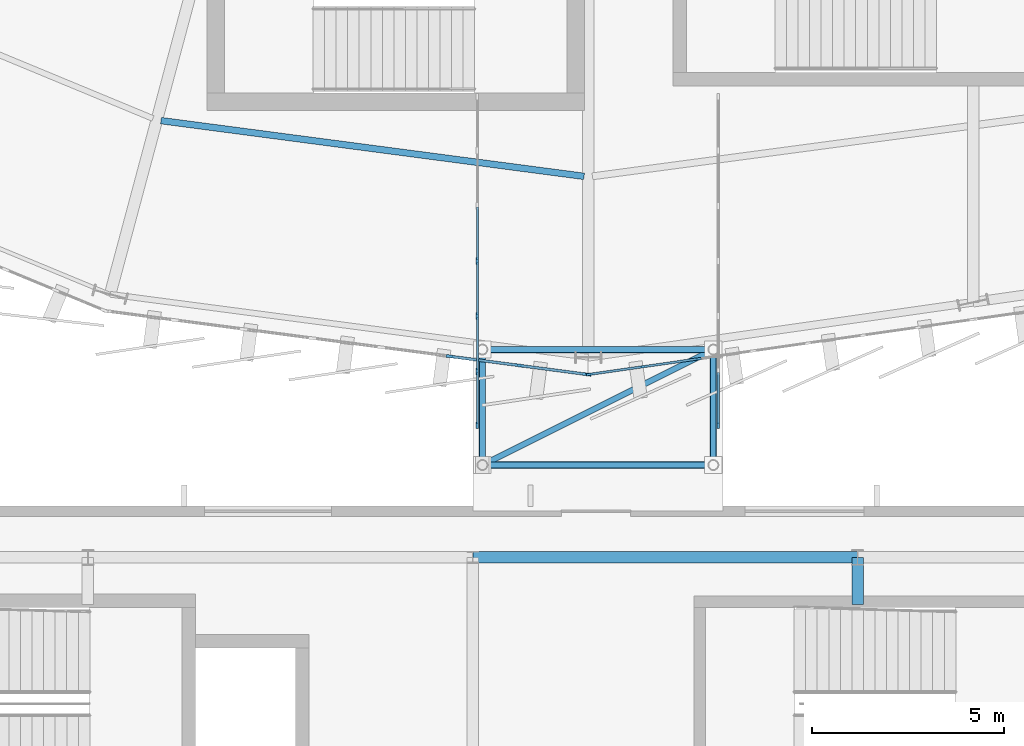
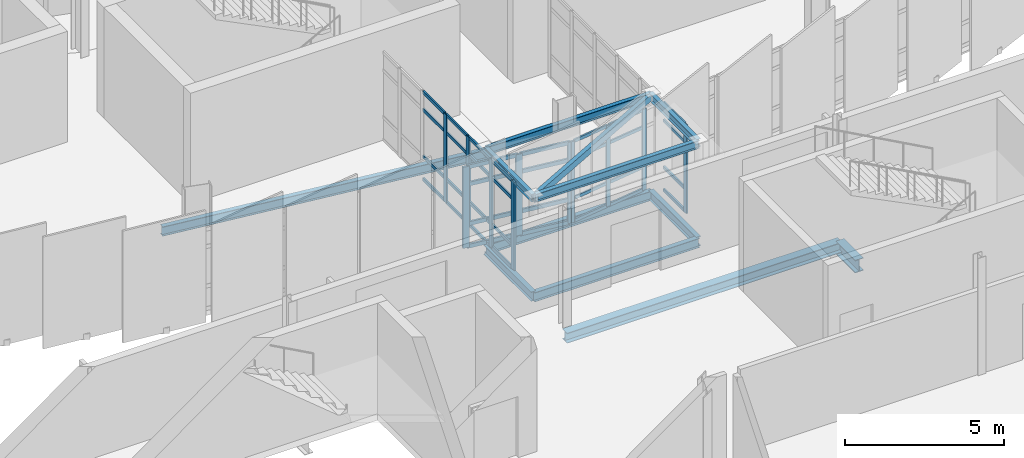
# One storey, part 35 of 125: 48 members, 11 beams, 4 elements without a shape of their own.
"""IFC4 building model written with IfcOpenShell, lengths in metres."""

from ifc_helpers import new_model, si_unit, direction, frame, origin, origin_2d, place, context, subcontext, project, spatial, rectangle, hollow_rectangle, i_section, extrude, material, layer, layer_set, material_profile, profile_set, type_object, element, aggregate, save


model = new_model("IFC4")

# Units and contexts
model_context = context("Model", 3, precision=1e-05, world=origin(), true_north=direction((0.0, 1.0)))
body_context = subcontext(model_context, "Body", "Model", "MODEL_VIEW")
ifc_project = project(units=[si_unit("LENGTHUNIT", "METRE"), si_unit("AREAUNIT", "SQUARE_METRE"), si_unit("VOLUMEUNIT", "CUBIC_METRE"), si_unit("PLANEANGLEUNIT", "RADIAN"), si_unit("MASSUNIT", "GRAM", prefix="KILO")], contexts=[model_context])

# Site, building, storey
site_placement = place(None, origin())
site = spatial("IfcSite", under=ifc_project, at=site_placement, CompositionType="ELEMENT")
building_placement = place(site_placement, origin())
building = spatial("IfcBuilding", under=site, at=building_placement, Name="Sohan Crest Arena", CompositionType="ELEMENT")
storey_placement = place(building_placement, frame((0.0, 0.0, 9.0)))
storey = spatial("IfcBuildingStorey", under=building, at=storey_placement, Name="L02", CompositionType="ELEMENT", Elevation=9.0)

# Curtain wall, members
ifc_material_1 = material(Name="Thermally broken anodised aluminium", Category="aluminium")
ifc_layer_1 = layer(ifc_material_1, 0.179931640625, Name="Thermally broken anodised aluminium")
ifc_layer_set_1 = layer_set([ifc_layer_1], Name="Thermally broken anodised aluminium")
curtain_wall_type_1 = type_object("IfcCurtainWallType", Name="ARC-CW01", PredefinedType="NOTDEFINED", material=ifc_layer_set_1)
curtain_wall_1_placement = place(storey_placement, origin())
curtain_wall_1 = element("IfcCurtainWall", 1, at=curtain_wall_1_placement, inside=storey, type_object=curtain_wall_type_1, Name="Unitised curtain wall CW-060", PredefinedType="NOTDEFINED")
ifc_material_profile_1 = material_profile(ifc_material_1, rectangle(XDim=0.06005859375, YDim=0.159912109375, at=origin_2d()), Name="ALU-MULL 60x160")
ifc_profile_set_1 = profile_set([ifc_material_profile_1], Name="Thermally broken anodised aluminium")
member_type_1 = type_object("IfcMemberType", Name="ARC-CW-ML01", PredefinedType="MULLION", material=ifc_profile_set_1)
member_1_placement = place(storey_placement, frame((98.02978515625, 29.55419921875, 0.0), z_axis=(0.0, 0.0, 1.0), x_axis=(-0.141462933734, 0.989943553128, 0.0)))
member_1 = element("IfcMember", 2, at=member_1_placement, type_object=member_type_1, Name="CW-060 mullion 1", PredefinedType="MULLION", context=body_context, shape_type="SweptSolid", body=[
    extrude(rectangle(XDim=0.06005859375, YDim=0.159912109375, at=origin_2d()), origin(), (0.0, 0.0, 1.0), 3.1201171875),
])
member_2_placement = place(storey_placement, frame((99.428466796875, 29.754150390625, 0.0), z_axis=(0.0, 0.0, 1.0), x_axis=(-0.141462933734, 0.989943553128, 0.0)))
member_2 = element("IfcMember", 3, at=member_2_placement, type_object=member_type_1, Name="CW-060 mullion 2", PredefinedType="MULLION", context=body_context, shape_type="SweptSolid", body=[
    extrude(rectangle(XDim=0.06005859375, YDim=0.159912109375, at=origin_2d()), origin(), (0.0, 0.0, 1.0), 3.1201171875),
])
member_3_placement = place(storey_placement, frame((100.857177734375, 29.958251953125, 0.0), z_axis=(0.0, 0.0, 1.0), x_axis=(-0.141462933734, 0.989943553128, 0.0)))
member_3 = element("IfcMember", 4, at=member_3_placement, type_object=member_type_1, Name="CW-060 mullion 3", PredefinedType="MULLION", context=body_context, shape_type="SweptSolid", body=[
    extrude(rectangle(XDim=0.06005859375, YDim=0.159912109375, at=origin_2d()), origin(), (0.0, 0.0, 1.0), 3.1201171875),
])

ifc_layer_2 = layer(ifc_material_1, 0.18994140625, Name="Thermally broken anodised aluminium")
ifc_layer_set_2 = layer_set([ifc_layer_2], Name="Thermally broken anodised aluminium")
curtain_wall_type_2 = type_object("IfcCurtainWallType", Name="ARC-CW05", PredefinedType="NOTDEFINED", material=ifc_layer_set_2)
curtain_wall_2_placement = place(storey_placement, origin())
curtain_wall_2 = element("IfcCurtainWall", 5, at=curtain_wall_2_placement, inside=storey, type_object=curtain_wall_type_2, Name="Unitised curtain wall CW-251", PredefinedType="NOTDEFINED")
ifc_material_profile_2 = material_profile(ifc_material_1, rectangle(XDim=0.06494140625, YDim=0.179931640625, at=origin_2d()), Name="ALU-MULL 65x180")
ifc_profile_set_2 = profile_set([ifc_material_profile_2], Name="Thermally broken anodised aluminium")
member_type_2 = type_object("IfcMemberType", Name="ARC-CW-ML02", PredefinedType="MULLION", material=ifc_profile_set_2)
member_4_placement = place(storey_placement, frame((95.1201171875, 28.232421875, 0.0), z_axis=(0.0, 0.0, 1.0), x_axis=(-1.0, 0.0, 0.0)))
member_4 = element("IfcMember", 6, at=member_4_placement, type_object=member_type_2, Name="CW-251 mullion 1", PredefinedType="MULLION", context=body_context, shape_type="SweptSolid", body=[
    extrude(rectangle(XDim=0.06494140625, YDim=0.179931640625, at=origin_2d()), origin(), (0.0, 0.0, 1.0), 3.39990234375),
])
member_5_placement = place(storey_placement, frame((95.1201171875, 29.63330078125, 0.0), z_axis=(0.0, 0.0, 1.0), x_axis=(-1.0, 0.0, 0.0)))
member_5 = element("IfcMember", 7, at=member_5_placement, type_object=member_type_2, Name="CW-251 mullion 2", PredefinedType="MULLION", context=body_context, shape_type="SweptSolid", body=[
    extrude(rectangle(XDim=0.06494140625, YDim=0.179931640625, at=origin_2d()), origin(), (0.0, 0.0, 1.0), 3.39990234375),
])
member_6_placement = place(storey_placement, frame((95.1201171875, 31.066650390625, 0.0), z_axis=(0.0, 0.0, 1.0), x_axis=(-1.0, 0.0, 0.0)))
member_6 = element("IfcMember", 8, at=member_6_placement, type_object=member_type_2, Name="CW-251 mullion 3", PredefinedType="MULLION", context=body_context, shape_type="SweptSolid", body=[
    extrude(rectangle(XDim=0.06494140625, YDim=0.179931640625, at=origin_2d()), origin(), (0.0, 0.0, 1.0), 3.39990234375),
])
member_7_placement = place(storey_placement, frame((95.1201171875, 32.5, 0.0), z_axis=(0.0, 0.0, 1.0), x_axis=(-1.0, 0.0, 0.0)))
member_7 = element("IfcMember", 9, at=member_7_placement, type_object=member_type_2, Name="CW-251 mullion 4", PredefinedType="MULLION", context=body_context, shape_type="SweptSolid", body=[
    extrude(rectangle(XDim=0.06494140625, YDim=0.179931640625, at=origin_2d()), origin(), (0.0, 0.0, 1.0), 3.39990234375),
])

# Curtain wall, member
curtain_wall_3_placement = place(storey_placement, origin())
curtain_wall_3 = element("IfcCurtainWall", 10, at=curtain_wall_3_placement, inside=storey, type_object=curtain_wall_type_2, Name="Unitised curtain wall CW-252", PredefinedType="NOTDEFINED")
member_8_placement = place(storey_placement, frame((101.3798828125, 28.232421875, 0.0), z_axis=(0.0, 0.0, 1.0), x_axis=(-1.0, 0.0, 0.0)))
member_8 = element("IfcMember", 11, at=member_8_placement, type_object=member_type_2, Name="CW-252 mullion 1", PredefinedType="MULLION", context=body_context, shape_type="SweptSolid", body=[
    extrude(rectangle(XDim=0.06494140625, YDim=0.179931640625, at=origin_2d()), origin(), (0.0, 0.0, 1.0), 3.39990234375),
])

# Curtain wall, members
ifc_layer_3 = layer(ifc_material_1, 0.2099609375, Name="Thermally broken anodised aluminium")
ifc_layer_set_3 = layer_set([ifc_layer_3], Name="Thermally broken anodised aluminium")
curtain_wall_type_3 = type_object("IfcCurtainWallType", Name="ARC-CW06", PredefinedType="NOTDEFINED", material=ifc_layer_set_3)
curtain_wall_4_placement = place(storey_placement, origin())
curtain_wall_4 = element("IfcCurtainWall", 12, at=curtain_wall_4_placement, inside=storey, type_object=curtain_wall_type_3, Name="Unitised curtain wall CW-059", PredefinedType="NOTDEFINED")
ifc_material_profile_3 = material_profile(ifc_material_1, rectangle(XDim=0.074951171875, YDim=0.219970703125, at=origin_2d()), Name="ALU-MULL 75x220")
ifc_profile_set_3 = profile_set([ifc_material_profile_3], Name="Thermally broken anodised aluminium")
member_type_3 = type_object("IfcMemberType", Name="ARC-CW-ML04", PredefinedType="MULLION", material=ifc_profile_set_3)
member_9_placement = place(storey_placement, frame((94.417236328125, 30.021728515625, 0.0), z_axis=(0.0, 0.0, 1.0), x_axis=(0.130532229177, 0.991444066575, 0.0)))
member_9 = element("IfcMember", 13, at=member_9_placement, type_object=member_type_3, Name="CW-059 mullion 6", PredefinedType="MULLION", context=body_context, shape_type="SweptSolid", body=[
    extrude(rectangle(XDim=0.074951171875, YDim=0.219970703125, at=origin_2d()), origin(), (0.0, 0.0, 1.0), 3.1201171875),
])
member_10_placement = place(storey_placement, frame((96.20849609375, 29.785888671875, 0.0), z_axis=(0.0, 0.0, 1.0), x_axis=(0.130532229177, 0.991444066575, 0.0)))
member_10 = element("IfcMember", 14, at=member_10_placement, type_object=member_type_3, Name="CW-059 mullion 7", PredefinedType="MULLION", context=body_context, shape_type="SweptSolid", body=[
    extrude(rectangle(XDim=0.074951171875, YDim=0.219970703125, at=origin_2d()), origin(), (0.0, 0.0, 1.0), 3.1201171875),
])
member_11_placement = place(storey_placement, frame((97.962890625, 29.554931640625, 0.0), z_axis=(0.0, 0.0, 1.0), x_axis=(0.130532229177, 0.991444066575, 0.0)))
member_11 = element("IfcMember", 15, at=member_11_placement, type_object=member_type_3, Name="CW-059 mullion 8", PredefinedType="MULLION", context=body_context, shape_type="SweptSolid", body=[
    extrude(rectangle(XDim=0.074951171875, YDim=0.219970703125, at=origin_2d()), origin(), (0.0, 0.0, 1.0), 3.1201171875),
])

# Member
ifc_material_profile_4 = material_profile(ifc_material_1, rectangle(XDim=0.06005859375, YDim=0.1201171875, at=origin_2d()), Name="ALU-TRAN 60x120")
ifc_profile_set_4 = profile_set([ifc_material_profile_4], Name="Thermally broken anodised aluminium")
member_type_4 = type_object("IfcMemberType", Name="ARC-CW-TR01", PredefinedType="USERDEFINED", material=ifc_profile_set_4)
member_12_placement = place(storey_placement, frame((98.059326171875, 29.55859375, 0.030029296875), z_axis=(0.989945885007, 0.141446614515, 0.0), x_axis=(-0.141446614515, 0.989945885007, 0.0)))
member_12 = element("IfcMember", 16, at=member_12_placement, type_object=member_type_4, Name="CW-060 transom 1.1", ObjectType="TRANSOM", PredefinedType="USERDEFINED", context=body_context, shape_type="SweptSolid", body=[
    extrude(rectangle(XDim=0.06005859375, YDim=0.1201171875, at=origin_2d()), origin(), (0.0, 0.0, 1.0), 1.353271484375),
])

member_13_placement = place(storey_placement, frame((98.059326171875, 29.55859375, 0.89990234375), z_axis=(0.989945885007, 0.141446614515, 0.0), x_axis=(-0.141446614515, 0.989945885007, 0.0)))
member_13 = element("IfcMember", 17, at=member_13_placement, type_object=member_type_4, Name="CW-060 transom 1.2", ObjectType="TRANSOM", PredefinedType="USERDEFINED", context=body_context, shape_type="SweptSolid", body=[
    extrude(rectangle(XDim=0.06005859375, YDim=0.1201171875, at=origin_2d()), origin(), (0.0, 0.0, 1.0), 1.353271484375),
])

member_14_placement = place(storey_placement, frame((98.059326171875, 29.55859375, 2.419921875), z_axis=(0.989945885007, 0.141446614515, 0.0), x_axis=(-0.141446614515, 0.989945885007, 0.0)))
member_14 = element("IfcMember", 18, at=member_14_placement, type_object=member_type_4, Name="CW-060 transom 1.3", ObjectType="TRANSOM", PredefinedType="USERDEFINED", context=body_context, shape_type="SweptSolid", body=[
    extrude(rectangle(XDim=0.06005859375, YDim=0.1201171875, at=origin_2d()), origin(), (0.0, 0.0, 1.0), 1.353271484375),
])

member_15_placement = place(storey_placement, frame((98.059326171875, 29.55859375, 3.090087890625), z_axis=(0.989945885007, 0.141446614515, 0.0), x_axis=(-0.141446614515, 0.989945885007, 0.0)))
member_15 = element("IfcMember", 19, at=member_15_placement, type_object=member_type_4, Name="CW-060 transom 1.4", ObjectType="TRANSOM", PredefinedType="USERDEFINED", context=body_context, shape_type="SweptSolid", body=[
    extrude(rectangle(XDim=0.06005859375, YDim=0.1201171875, at=origin_2d()), origin(), (0.0, 0.0, 1.0), 1.353271484375),
])

member_16_placement = place(storey_placement, frame((99.458251953125, 29.75830078125, 0.030029296875), z_axis=(0.989928300068, 0.141569632071, 0.0), x_axis=(-0.141569632071, 0.989928300068, 0.0)))
member_16 = element("IfcMember", 20, at=member_16_placement, type_object=member_type_4, Name="CW-060 transom 2.1", ObjectType="TRANSOM", PredefinedType="USERDEFINED", context=body_context, shape_type="SweptSolid", body=[
    extrude(rectangle(XDim=0.06005859375, YDim=0.1201171875, at=origin_2d()), origin(), (0.0, 0.0, 1.0), 1.383056640625),
])

member_17_placement = place(storey_placement, frame((99.458251953125, 29.75830078125, 0.89990234375), z_axis=(0.989928300068, 0.141569632071, 0.0), x_axis=(-0.141569632071, 0.989928300068, 0.0)))
member_17 = element("IfcMember", 21, at=member_17_placement, type_object=member_type_4, Name="CW-060 transom 2.2", ObjectType="TRANSOM", PredefinedType="USERDEFINED", context=body_context, shape_type="SweptSolid", body=[
    extrude(rectangle(XDim=0.06005859375, YDim=0.1201171875, at=origin_2d()), origin(), (0.0, 0.0, 1.0), 1.383056640625),
])

member_18_placement = place(storey_placement, frame((99.458251953125, 29.75830078125, 2.419921875), z_axis=(0.989928300068, 0.141569632071, 0.0), x_axis=(-0.141569632071, 0.989928300068, 0.0)))
member_18 = element("IfcMember", 22, at=member_18_placement, type_object=member_type_4, Name="CW-060 transom 2.3", ObjectType="TRANSOM", PredefinedType="USERDEFINED", context=body_context, shape_type="SweptSolid", body=[
    extrude(rectangle(XDim=0.06005859375, YDim=0.1201171875, at=origin_2d()), origin(), (0.0, 0.0, 1.0), 1.383056640625),
])

member_19_placement = place(storey_placement, frame((99.458251953125, 29.75830078125, 3.090087890625), z_axis=(0.989928300068, 0.141569632071, 0.0), x_axis=(-0.141569632071, 0.989928300068, 0.0)))
member_19 = element("IfcMember", 23, at=member_19_placement, type_object=member_type_4, Name="CW-060 transom 2.4", ObjectType="TRANSOM", PredefinedType="USERDEFINED", context=body_context, shape_type="SweptSolid", body=[
    extrude(rectangle(XDim=0.06005859375, YDim=0.1201171875, at=origin_2d()), origin(), (0.0, 0.0, 1.0), 1.383056640625),
])

aggregate(curtain_wall_1, [member_1, member_2, member_3, member_12, member_13, member_14, member_15, member_16, member_17, member_18, member_19])

member_20_placement = place(storey_placement, frame((95.1201171875, 28.264892578125, 0.030029296875), z_axis=(0.0, 1.0, 0.0), x_axis=(-1.0, 0.0, 0.0)))
member_20 = element("IfcMember", 24, at=member_20_placement, type_object=member_type_4, Name="CW-251 transom 1.1", ObjectType="TRANSOM", PredefinedType="USERDEFINED", context=body_context, shape_type="SweptSolid", body=[
    extrude(rectangle(XDim=0.06005859375, YDim=0.1201171875, at=origin_2d()), origin(), (0.0, 0.0, 1.0), 1.3359375),
])

member_21_placement = place(storey_placement, frame((95.1201171875, 28.264892578125, 0.89990234375), z_axis=(0.0, 1.0, 0.0), x_axis=(-1.0, 0.0, 0.0)))
member_21 = element("IfcMember", 25, at=member_21_placement, type_object=member_type_4, Name="CW-251 transom 1.2", ObjectType="TRANSOM", PredefinedType="USERDEFINED", context=body_context, shape_type="SweptSolid", body=[
    extrude(rectangle(XDim=0.06005859375, YDim=0.1201171875, at=origin_2d()), origin(), (0.0, 0.0, 1.0), 1.3359375),
])

member_22_placement = place(storey_placement, frame((95.1201171875, 28.264892578125, 2.699951171875), z_axis=(0.0, 1.0, 0.0), x_axis=(-1.0, 0.0, 0.0)))
member_22 = element("IfcMember", 26, at=member_22_placement, type_object=member_type_4, Name="CW-251 transom 1.3", ObjectType="TRANSOM", PredefinedType="USERDEFINED", context=body_context, shape_type="SweptSolid", body=[
    extrude(rectangle(XDim=0.06005859375, YDim=0.1201171875, at=origin_2d()), origin(), (0.0, 0.0, 1.0), 1.3359375),
])

member_23_placement = place(storey_placement, frame((95.1201171875, 28.264892578125, 3.3701171875), z_axis=(0.0, 1.0, 0.0), x_axis=(-1.0, 0.0, 0.0)))
member_23 = element("IfcMember", 27, at=member_23_placement, type_object=member_type_4, Name="CW-251 transom 1.4", ObjectType="TRANSOM", PredefinedType="USERDEFINED", context=body_context, shape_type="SweptSolid", body=[
    extrude(rectangle(XDim=0.06005859375, YDim=0.1201171875, at=origin_2d()), origin(), (0.0, 0.0, 1.0), 1.3359375),
])

member_24_placement = place(storey_placement, frame((95.1201171875, 29.665771484375, 0.030029296875), z_axis=(0.0, 1.0, 0.0), x_axis=(-1.0, 0.0, 0.0)))
member_24 = element("IfcMember", 28, at=member_24_placement, type_object=member_type_4, Name="CW-251 transom 2.1", ObjectType="TRANSOM", PredefinedType="USERDEFINED", context=body_context, shape_type="SweptSolid", body=[
    extrude(rectangle(XDim=0.06005859375, YDim=0.1201171875, at=origin_2d()), origin(), (0.0, 0.0, 1.0), 1.368408203125),
])

member_25_placement = place(storey_placement, frame((95.1201171875, 29.665771484375, 0.89990234375), z_axis=(0.0, 1.0, 0.0), x_axis=(-1.0, 0.0, 0.0)))
member_25 = element("IfcMember", 29, at=member_25_placement, type_object=member_type_4, Name="CW-251 transom 2.2", ObjectType="TRANSOM", PredefinedType="USERDEFINED", context=body_context, shape_type="SweptSolid", body=[
    extrude(rectangle(XDim=0.06005859375, YDim=0.1201171875, at=origin_2d()), origin(), (0.0, 0.0, 1.0), 1.368408203125),
])

member_26_placement = place(storey_placement, frame((95.1201171875, 29.665771484375, 2.699951171875), z_axis=(0.0, 1.0, 0.0), x_axis=(-1.0, 0.0, 0.0)))
member_26 = element("IfcMember", 30, at=member_26_placement, type_object=member_type_4, Name="CW-251 transom 2.3", ObjectType="TRANSOM", PredefinedType="USERDEFINED", context=body_context, shape_type="SweptSolid", body=[
    extrude(rectangle(XDim=0.06005859375, YDim=0.1201171875, at=origin_2d()), origin(), (0.0, 0.0, 1.0), 1.368408203125),
])

member_27_placement = place(storey_placement, frame((95.1201171875, 29.665771484375, 3.3701171875), z_axis=(0.0, 1.0, 0.0), x_axis=(-1.0, 0.0, 0.0)))
member_27 = element("IfcMember", 31, at=member_27_placement, type_object=member_type_4, Name="CW-251 transom 2.4", ObjectType="TRANSOM", PredefinedType="USERDEFINED", context=body_context, shape_type="SweptSolid", body=[
    extrude(rectangle(XDim=0.06005859375, YDim=0.1201171875, at=origin_2d()), origin(), (0.0, 0.0, 1.0), 1.368408203125),
])

member_28_placement = place(storey_placement, frame((95.1201171875, 31.09912109375, 0.030029296875), z_axis=(0.0, 1.0, 0.0), x_axis=(-1.0, 0.0, 0.0)))
member_28 = element("IfcMember", 32, at=member_28_placement, type_object=member_type_4, Name="CW-251 transom 3.1", ObjectType="TRANSOM", PredefinedType="USERDEFINED", context=body_context, shape_type="SweptSolid", body=[
    extrude(rectangle(XDim=0.06005859375, YDim=0.1201171875, at=origin_2d()), origin(), (0.0, 0.0, 1.0), 1.368408203125),
])

member_29_placement = place(storey_placement, frame((95.1201171875, 31.09912109375, 0.89990234375), z_axis=(0.0, 1.0, 0.0), x_axis=(-1.0, 0.0, 0.0)))
member_29 = element("IfcMember", 33, at=member_29_placement, type_object=member_type_4, Name="CW-251 transom 3.2", ObjectType="TRANSOM", PredefinedType="USERDEFINED", context=body_context, shape_type="SweptSolid", body=[
    extrude(rectangle(XDim=0.06005859375, YDim=0.1201171875, at=origin_2d()), origin(), (0.0, 0.0, 1.0), 1.368408203125),
])

member_30_placement = place(storey_placement, frame((95.1201171875, 31.09912109375, 2.699951171875), z_axis=(0.0, 1.0, 0.0), x_axis=(-1.0, 0.0, 0.0)))
member_30 = element("IfcMember", 34, at=member_30_placement, type_object=member_type_4, Name="CW-251 transom 3.3", ObjectType="TRANSOM", PredefinedType="USERDEFINED", context=body_context, shape_type="SweptSolid", body=[
    extrude(rectangle(XDim=0.06005859375, YDim=0.1201171875, at=origin_2d()), origin(), (0.0, 0.0, 1.0), 1.368408203125),
])

member_31_placement = place(storey_placement, frame((95.1201171875, 31.09912109375, 3.3701171875), z_axis=(0.0, 1.0, 0.0), x_axis=(-1.0, 0.0, 0.0)))
member_31 = element("IfcMember", 35, at=member_31_placement, type_object=member_type_4, Name="CW-251 transom 3.4", ObjectType="TRANSOM", PredefinedType="USERDEFINED", context=body_context, shape_type="SweptSolid", body=[
    extrude(rectangle(XDim=0.06005859375, YDim=0.1201171875, at=origin_2d()), origin(), (0.0, 0.0, 1.0), 1.368408203125),
])

member_32_placement = place(storey_placement, frame((95.1201171875, 32.532470703125, 0.030029296875), z_axis=(0.0, 1.0, 0.0), x_axis=(-1.0, 0.0, 0.0)))
member_32 = element("IfcMember", 36, at=member_32_placement, type_object=member_type_4, Name="CW-251 transom 4.1", ObjectType="TRANSOM", PredefinedType="USERDEFINED", context=body_context, shape_type="SweptSolid", body=[
    extrude(rectangle(XDim=0.06005859375, YDim=0.1201171875, at=origin_2d()), origin(), (0.0, 0.0, 1.0), 1.368408203125),
])

member_33_placement = place(storey_placement, frame((95.1201171875, 32.532470703125, 0.89990234375), z_axis=(0.0, 1.0, 0.0), x_axis=(-1.0, 0.0, 0.0)))
member_33 = element("IfcMember", 37, at=member_33_placement, type_object=member_type_4, Name="CW-251 transom 4.2", ObjectType="TRANSOM", PredefinedType="USERDEFINED", context=body_context, shape_type="SweptSolid", body=[
    extrude(rectangle(XDim=0.06005859375, YDim=0.1201171875, at=origin_2d()), origin(), (0.0, 0.0, 1.0), 1.368408203125),
])

member_34_placement = place(storey_placement, frame((95.1201171875, 32.532470703125, 2.699951171875), z_axis=(0.0, 1.0, 0.0), x_axis=(-1.0, 0.0, 0.0)))
member_34 = element("IfcMember", 38, at=member_34_placement, type_object=member_type_4, Name="CW-251 transom 4.3", ObjectType="TRANSOM", PredefinedType="USERDEFINED", context=body_context, shape_type="SweptSolid", body=[
    extrude(rectangle(XDim=0.06005859375, YDim=0.1201171875, at=origin_2d()), origin(), (0.0, 0.0, 1.0), 1.368408203125),
])

member_35_placement = place(storey_placement, frame((95.1201171875, 32.532470703125, 3.3701171875), z_axis=(0.0, 1.0, 0.0), x_axis=(-1.0, 0.0, 0.0)))
member_35 = element("IfcMember", 39, at=member_35_placement, type_object=member_type_4, Name="CW-251 transom 4.4", ObjectType="TRANSOM", PredefinedType="USERDEFINED", context=body_context, shape_type="SweptSolid", body=[
    extrude(rectangle(XDim=0.06005859375, YDim=0.1201171875, at=origin_2d()), origin(), (0.0, 0.0, 1.0), 1.368408203125),
])

aggregate(curtain_wall_2, [member_4, member_5, member_6, member_7, member_20, member_21, member_22, member_23, member_24, member_25, member_26, member_27, member_28, member_29, member_30, member_31, member_32, member_33, member_34, member_35])

member_36_placement = place(storey_placement, frame((101.3798828125, 28.264892578125, 0.030029296875), z_axis=(0.0, 1.0, 0.0), x_axis=(-1.0, 0.0, 0.0)))
member_36 = element("IfcMember", 40, at=member_36_placement, type_object=member_type_4, Name="CW-252 transom 1.1", ObjectType="TRANSOM", PredefinedType="USERDEFINED", context=body_context, shape_type="SweptSolid", body=[
    extrude(rectangle(XDim=0.06005859375, YDim=0.1201171875, at=origin_2d()), origin(), (0.0, 0.0, 1.0), 1.3359375),
])

member_37_placement = place(storey_placement, frame((101.3798828125, 28.264892578125, 0.89990234375), z_axis=(0.0, 1.0, 0.0), x_axis=(-1.0, 0.0, 0.0)))
member_37 = element("IfcMember", 41, at=member_37_placement, type_object=member_type_4, Name="CW-252 transom 1.2", ObjectType="TRANSOM", PredefinedType="USERDEFINED", context=body_context, shape_type="SweptSolid", body=[
    extrude(rectangle(XDim=0.06005859375, YDim=0.1201171875, at=origin_2d()), origin(), (0.0, 0.0, 1.0), 1.3359375),
])

member_38_placement = place(storey_placement, frame((101.3798828125, 28.264892578125, 2.699951171875), z_axis=(0.0, 1.0, 0.0), x_axis=(-1.0, 0.0, 0.0)))
member_38 = element("IfcMember", 42, at=member_38_placement, type_object=member_type_4, Name="CW-252 transom 1.3", ObjectType="TRANSOM", PredefinedType="USERDEFINED", context=body_context, shape_type="SweptSolid", body=[
    extrude(rectangle(XDim=0.06005859375, YDim=0.1201171875, at=origin_2d()), origin(), (0.0, 0.0, 1.0), 1.3359375),
])

member_39_placement = place(storey_placement, frame((101.3798828125, 28.264892578125, 3.3701171875), z_axis=(0.0, 1.0, 0.0), x_axis=(-1.0, 0.0, 0.0)))
member_39 = element("IfcMember", 43, at=member_39_placement, type_object=member_type_4, Name="CW-252 transom 1.4", ObjectType="TRANSOM", PredefinedType="USERDEFINED", context=body_context, shape_type="SweptSolid", body=[
    extrude(rectangle(XDim=0.06005859375, YDim=0.1201171875, at=origin_2d()), origin(), (0.0, 0.0, 1.0), 1.3359375),
])

aggregate(curtain_wall_3, [member_8, member_36, member_37, member_38, member_39])

ifc_material_profile_5 = material_profile(ifc_material_1, rectangle(XDim=0.070068359375, YDim=0.14990234375, at=origin_2d()), Name="ALU-TRAN 70x150")
ifc_profile_set_5 = profile_set([ifc_material_profile_5], Name="Thermally broken anodised aluminium")
member_type_5 = type_object("IfcMemberType", Name="ARC-CW-TR03", PredefinedType="USERDEFINED", material=ifc_profile_set_5)
member_40_placement = place(storey_placement, frame((94.454345703125, 30.016845703125, 0.034912109375), z_axis=(0.991443256208, -0.130538384082, 0.0), x_axis=(0.130538384082, 0.991443256208, 0.0)))
member_40 = element("IfcMember", 44, at=member_40_placement, type_object=member_type_5, Name="CW-059 transom 6.1", ObjectType="TRANSOM", PredefinedType="USERDEFINED", context=body_context, shape_type="SweptSolid", body=[
    extrude(rectangle(XDim=0.070068359375, YDim=0.14990234375, at=origin_2d()), origin(), (0.0, 0.0, 1.0), 1.73193359375),
])

member_41_placement = place(storey_placement, frame((94.454345703125, 30.016845703125, 0.89990234375), z_axis=(0.991443256208, -0.130538384082, 0.0), x_axis=(0.130538384082, 0.991443256208, 0.0)))
member_41 = element("IfcMember", 45, at=member_41_placement, type_object=member_type_5, Name="CW-059 transom 6.2", ObjectType="TRANSOM", PredefinedType="USERDEFINED", context=body_context, shape_type="SweptSolid", body=[
    extrude(rectangle(XDim=0.070068359375, YDim=0.14990234375, at=origin_2d()), origin(), (0.0, 0.0, 1.0), 1.73193359375),
])

member_42_placement = place(storey_placement, frame((94.454345703125, 30.016845703125, 2.419921875), z_axis=(0.991443256208, -0.130538384082, 0.0), x_axis=(0.130538384082, 0.991443256208, 0.0)))
member_42 = element("IfcMember", 46, at=member_42_placement, type_object=member_type_5, Name="CW-059 transom 6.3", ObjectType="TRANSOM", PredefinedType="USERDEFINED", context=body_context, shape_type="SweptSolid", body=[
    extrude(rectangle(XDim=0.070068359375, YDim=0.14990234375, at=origin_2d()), origin(), (0.0, 0.0, 1.0), 1.73193359375),
])

member_43_placement = place(storey_placement, frame((94.454345703125, 30.016845703125, 3.0849609375), z_axis=(0.991443256208, -0.130538384082, 0.0), x_axis=(0.130538384082, 0.991443256208, 0.0)))
member_43 = element("IfcMember", 47, at=member_43_placement, type_object=member_type_5, Name="CW-059 transom 6.4", ObjectType="TRANSOM", PredefinedType="USERDEFINED", context=body_context, shape_type="SweptSolid", body=[
    extrude(rectangle(XDim=0.070068359375, YDim=0.14990234375, at=origin_2d()), origin(), (0.0, 0.0, 1.0), 1.73193359375),
])

member_44_placement = place(storey_placement, frame((96.245849609375, 29.781005859375, 0.034912109375), z_axis=(0.991440556446, -0.13055888723, 0.0), x_axis=(0.13055888723, 0.991440556446, 0.0)))
member_44 = element("IfcMember", 48, at=member_44_placement, type_object=member_type_5, Name="CW-059 transom 7.1", ObjectType="TRANSOM", PredefinedType="USERDEFINED", context=body_context, shape_type="SweptSolid", body=[
    extrude(rectangle(XDim=0.070068359375, YDim=0.14990234375, at=origin_2d()), origin(), (0.0, 0.0, 1.0), 1.694091796875),
])

member_45_placement = place(storey_placement, frame((96.245849609375, 29.781005859375, 0.89990234375), z_axis=(0.991440556446, -0.13055888723, 0.0), x_axis=(0.13055888723, 0.991440556446, 0.0)))
member_45 = element("IfcMember", 49, at=member_45_placement, type_object=member_type_5, Name="CW-059 transom 7.2", ObjectType="TRANSOM", PredefinedType="USERDEFINED", context=body_context, shape_type="SweptSolid", body=[
    extrude(rectangle(XDim=0.070068359375, YDim=0.14990234375, at=origin_2d()), origin(), (0.0, 0.0, 1.0), 1.694091796875),
])

member_46_placement = place(storey_placement, frame((96.245849609375, 29.781005859375, 2.419921875), z_axis=(0.991440556446, -0.13055888723, 0.0), x_axis=(0.13055888723, 0.991440556446, 0.0)))
member_46 = element("IfcMember", 50, at=member_46_placement, type_object=member_type_5, Name="CW-059 transom 7.3", ObjectType="TRANSOM", PredefinedType="USERDEFINED", context=body_context, shape_type="SweptSolid", body=[
    extrude(rectangle(XDim=0.070068359375, YDim=0.14990234375, at=origin_2d()), origin(), (0.0, 0.0, 1.0), 1.694091796875),
])

member_47_placement = place(storey_placement, frame((96.245849609375, 29.781005859375, 3.0849609375), z_axis=(0.991440556446, -0.13055888723, 0.0), x_axis=(0.13055888723, 0.991440556446, 0.0)))
member_47 = element("IfcMember", 51, at=member_47_placement, type_object=member_type_5, Name="CW-059 transom 7.4", ObjectType="TRANSOM", PredefinedType="USERDEFINED", context=body_context, shape_type="SweptSolid", body=[
    extrude(rectangle(XDim=0.070068359375, YDim=0.14990234375, at=origin_2d()), origin(), (0.0, 0.0, 1.0), 1.694091796875),
])

aggregate(curtain_wall_4, [member_9, member_10, member_11, member_40, member_41, member_42, member_43, member_44, member_45, member_46, member_47])

# Beams
ifc_material_2 = material(Name="Steel S355", Category="steel")
ifc_material_profile_6 = material_profile(ifc_material_2, i_section(OverallWidth=0.14990234375, OverallDepth=0.300048828125, WebThickness=0.007080078125, FlangeThickness=0.0107421875, at=origin_2d()), Name="IPE 300")
ifc_profile_set_6 = profile_set([ifc_material_profile_6], Name="Steel S355")
beam_type_1 = type_object("IfcBeamType", Name="STR-BM-B01", PredefinedType="JOIST", material=ifc_profile_set_6)
for number, where, z_axis, x_axis, name in (
    (52, (95.25, 27.199951171875, 3.324951171875), (0.0, 1.0, 0.0), (-1.0, 0.0, 0.0), "Structural beam BRG-L02-2996"),
    (53, (101.25, 27.199951171875, 3.324951171875), (0.0, 1.0, 0.0), (-1.0, 0.0, 0.0), "Structural beam BRG-L02-2997"),
):
    element("IfcBeam", number, at=place(storey_placement, frame(where, z_axis=z_axis, x_axis=x_axis)), inside=storey, type_object=beam_type_1, Name=name, PredefinedType="JOIST", context=body_context, shape_type="SweptSolid", body=[
        extrude(i_section(OverallWidth=0.14990234375, OverallDepth=0.300048828125, WebThickness=0.007080078125, FlangeThickness=0.0107421875, at=origin_2d()), origin(), (0.0, 0.0, 1.0), 3.0),
    ])
for number, where, z_axis, x_axis, name in (
    (54, (95.25, 27.199951171875, 3.324951171875), (1.0, 0.0, 0.0), (0.0, 1.0, 0.0), "Structural beam BRG-L02-2998"),
    (55, (95.25, 30.199951171875, 3.324951171875), (1.0, 0.0, 0.0), (0.0, 1.0, 0.0), "Structural beam BRG-L02-2999"),
):
    element("IfcBeam", number, at=place(storey_placement, frame(where, z_axis=z_axis, x_axis=x_axis)), inside=storey, type_object=beam_type_1, Name=name, PredefinedType="JOIST", context=body_context, shape_type="SweptSolid", body=[
        extrude(i_section(OverallWidth=0.14990234375, OverallDepth=0.300048828125, WebThickness=0.007080078125, FlangeThickness=0.0107421875, at=origin_2d()), origin(), (0.0, 0.0, 1.0), 6.0),
    ])
ifc_material_profile_7 = material_profile(ifc_material_2, i_section(OverallWidth=0.169921875, OverallDepth=0.360107421875, WebThickness=0.008056640625, FlangeThickness=0.0126953125, at=origin_2d()), Name="IPE 360")
ifc_profile_set_7 = profile_set([ifc_material_profile_7], Name="Steel S355")
beam_type_2 = type_object("IfcBeamType", Name="STR-BM-B02", PredefinedType="JOIST", material=ifc_profile_set_7)
beam_1_placement = place(storey_placement, frame((86.89892578125, 36.14794921875, -0.429931640625), z_axis=(0.991434947697, -0.130601471988, 0.0), x_axis=(0.130601471988, 0.991434947697, 0.0)))
element("IfcBeam", 56, at=beam_1_placement, inside=storey, type_object=beam_type_2, Name="Structural beam J-L02-1292", PredefinedType="JOIST", context=body_context, shape_type="SweptSolid", body=[
    extrude(i_section(OverallWidth=0.169921875, OverallDepth=0.360107421875, WebThickness=0.008056640625, FlangeThickness=0.0126953125, at=origin_2d()), origin(), (0.0, 0.0, 1.0), 11.087158203125),
])
for number, where, z_axis, x_axis, name in (
    (57, (95.25, 27.199951171875, -0.455078125), (0.0, 1.0, 0.0), (-1.0, 0.0, 0.0), "Structural beam BG-L02-2992"),
    (58, (101.25, 27.199951171875, -0.455078125), (0.0, 1.0, 0.0), (-1.0, 0.0, 0.0), "Structural beam BG-L02-2993"),
):
    element("IfcBeam", number, at=place(storey_placement, frame(where, z_axis=z_axis, x_axis=x_axis)), inside=storey, type_object=beam_type_2, Name=name, PredefinedType="JOIST", context=body_context, shape_type="SweptSolid", body=[
        extrude(i_section(OverallWidth=0.169921875, OverallDepth=0.360107421875, WebThickness=0.008056640625, FlangeThickness=0.0126953125, at=origin_2d()), origin(), (0.0, 0.0, 1.0), 3.0),
    ])
for number, where, z_axis, x_axis, name in (
    (59, (95.25, 27.199951171875, -0.455078125), (1.0, 0.0, 0.0), (0.0, 1.0, 0.0), "Structural beam BG-L02-2994"),
    (60, (95.25, 30.199951171875, -0.455078125), (1.0, 0.0, 0.0), (0.0, 1.0, 0.0), "Structural beam BG-L02-2995"),
):
    element("IfcBeam", number, at=place(storey_placement, frame(where, z_axis=z_axis, x_axis=x_axis)), inside=storey, type_object=beam_type_2, Name=name, PredefinedType="JOIST", context=body_context, shape_type="SweptSolid", body=[
        extrude(i_section(OverallWidth=0.169921875, OverallDepth=0.360107421875, WebThickness=0.008056640625, FlangeThickness=0.0126953125, at=origin_2d()), origin(), (0.0, 0.0, 1.0), 6.0),
    ])
ifc_material_profile_8 = material_profile(ifc_material_2, i_section(OverallWidth=0.300048828125, OverallDepth=0.389892578125, WebThickness=0.010986328125, FlangeThickness=0.01904296875, at=origin_2d()), Name="HEA 400")
ifc_profile_set_8 = profile_set([ifc_material_profile_8], Name="Steel S355")
beam_type_3 = type_object("IfcBeamType", Name="STR-BM-B09", PredefinedType="BEAM", material=ifc_profile_set_8)
beam_2_placement = place(storey_placement, frame((95.0, 24.800048828125, -0.445068359375), z_axis=(1.0, 0.0, 0.0), x_axis=(0.0, 1.0, 0.0)))
element("IfcBeam", 61, at=beam_2_placement, inside=storey, type_object=beam_type_3, Name="Structural beam G-L02-2692", PredefinedType="BEAM", context=body_context, shape_type="SweptSolid", body=[
    extrude(i_section(OverallWidth=0.300048828125, OverallDepth=0.389892578125, WebThickness=0.010986328125, FlangeThickness=0.01904296875, at=origin_2d()), origin(), (0.0, 0.0, 1.0), 10.0),
])
ifc_material_profile_9 = material_profile(ifc_material_2, i_section(OverallWidth=0.300048828125, OverallDepth=0.489990234375, WebThickness=0.011962890625, FlangeThickness=0.02294921875, at=origin_2d()), Name="HEA 500")
ifc_profile_set_9 = profile_set([ifc_material_profile_9], Name="Steel S355")
beam_type_4 = type_object("IfcBeamType", Name="STR-BM-B10", PredefinedType="BEAM", material=ifc_profile_set_9)
beam_3_placement = place(storey_placement, frame((105.0, 23.580078125, -0.4951171875), z_axis=(0.0, 1.0, 0.0), x_axis=(-1.0, 0.0, 0.0)))
element("IfcBeam", 62, at=beam_3_placement, inside=storey, type_object=beam_type_4, Name="Structural beam G-L02-2637", PredefinedType="BEAM", context=body_context, shape_type="SweptSolid", body=[
    extrude(i_section(OverallWidth=0.300048828125, OverallDepth=0.489990234375, WebThickness=0.011962890625, FlangeThickness=0.02294921875, at=origin_2d()), origin(), (0.0, 0.0, 1.0), 1.219970703125),
])

# Member
ifc_material_profile_10 = material_profile(ifc_material_2, hollow_rectangle(XDim=0.14990234375, YDim=0.25, WallThickness=0.010009765625, at=origin_2d()), Name="RHS 250x150x10")
ifc_profile_set_10 = profile_set([ifc_material_profile_10], Name="Steel S355")
member_type_6 = type_object("IfcMemberType", Name="STR-MEM-CH02", PredefinedType="CHORD", material=ifc_profile_set_10)
member_48_placement = place(storey_placement, frame((95.25, 27.199951171875, 3.324951171875), z_axis=(0.894427191, 0.4472135955, 0.0), x_axis=(-0.4472135955, 0.894427191, 0.0)))
element("IfcMember", 63, at=member_48_placement, inside=storey, type_object=member_type_6, Name="Bridge roof tie chord CH-005", PredefinedType="CHORD", context=body_context, shape_type="SweptSolid", body=[
    extrude(hollow_rectangle(XDim=0.14990234375, YDim=0.25, WallThickness=0.010009765625, at=origin_2d()), origin(), (0.0, 0.0, 1.0), 6.708251953125),
])

save(model, "model.ifc")
